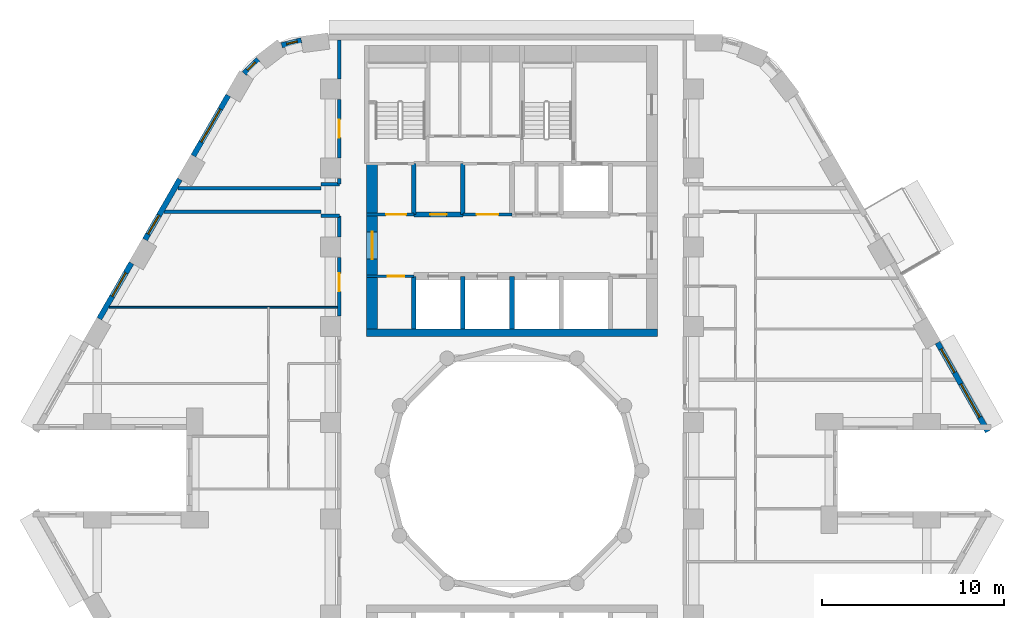
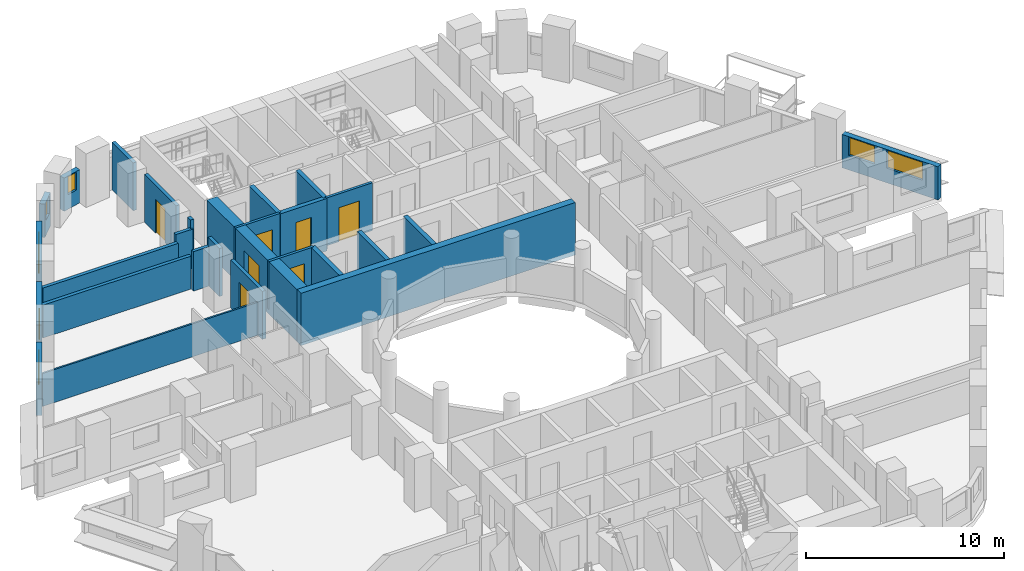
# One storey, part 7 of 13: 27 walls, 7 doors, 7 windows, 14 openings.
"""IFC4 building model written with IfcOpenShell, lengths in metres."""

from ifc_helpers import new_model, si_unit, direction, frame, frame_2d, origin, place, context, subcontext, project, spatial, rectangle, extrude, material, layer, layer_set, type_object, element, fill, save


model = new_model("IFC4")

# Units and contexts
model_context = context("Model", 3, precision=1e-05, world=origin(), true_north=direction((0.0, 1.0)))
body_context = subcontext(model_context, "Body", "Model", "MODEL_VIEW")
ifc_project = project(units=[si_unit("LENGTHUNIT", "METRE"), si_unit("AREAUNIT", "SQUARE_METRE"), si_unit("VOLUMEUNIT", "CUBIC_METRE"), si_unit("PLANEANGLEUNIT", "RADIAN"), si_unit("MASSUNIT", "GRAM", prefix="KILO")], contexts=[model_context])

# Site, building, storey
site_placement = place(None, origin())
site = spatial("IfcSite", under=ifc_project, at=site_placement, CompositionType="ELEMENT")
building_placement = place(site_placement, origin())
building = spatial("IfcBuilding", under=site, at=building_placement, Name="Nakaniwa Court", CompositionType="ELEMENT")
storey_placement = place(building_placement, frame((0.0, 0.0, 67.800048828125)))
storey = spatial("IfcBuildingStorey", under=building, at=storey_placement, Name="L18", CompositionType="ELEMENT", Elevation=67.800048828125)

# Walls
ifc_material_1 = material(Name="Acoustic double stud partition")
ifc_layer_1 = layer(ifc_material_1, 0.199951171875)
ifc_layer_set_1 = layer_set([ifc_layer_1], Name="Acoustic double stud partition")
wall_type_1 = type_object("IfcWallType", Name="Acoustic double stud partition 200", PredefinedType="PARTITIONING", material=ifc_layer_set_1)
wall_1_placement = place(storey_placement, frame((60.86083984375, 94.25, 0.0), z_axis=(0.0, 0.0, 1.0), x_axis=(1.0, 0.0, 0.0)))
element("IfcWall", 1, at=wall_1_placement, inside=storey, type_object=wall_type_1, Name="Partition PW-084", PredefinedType="PARTITIONING", context=body_context, shape_type="SweptSolid", body=[
    extrude(rectangle(XDim=8.63916015625, YDim=0.199951171875, at=frame_2d((4.319580078125, 0.0))), origin(), (0.0, 0.0, 1.0), 2.030029296875),
])
for number, where, z_axis, x_axis, name in (
    (2, (69.5, 94.02490234375, 0.0), (0.0, 0.0, 1.0), (1.0, 0.0, 0.0), "Partition PW-086"),
    (3, (69.5, 95.77490234375, 0.0), (0.0, 0.0, 1.0), (1.0, 0.0, 0.0), "Partition PW-088"),
):
    element("IfcWall", number, at=place(storey_placement, frame(where, z_axis=z_axis, x_axis=x_axis)), inside=storey, type_object=wall_type_1, Name=name, PredefinedType="PARTITIONING", context=body_context, shape_type="SweptSolid", body=[
        extrude(rectangle(XDim=1.0, YDim=0.199951171875, at=frame_2d((0.5, 0.0))), origin(), (0.0, 0.0, 1.0), 2.429931640625),
    ])
wall_2_placement = place(storey_placement, frame((61.611328125, 95.550048828125, 0.0), z_axis=(0.0, 0.0, 1.0), x_axis=(1.0, 0.0, 0.0)))
element("IfcWall", 4, at=wall_2_placement, inside=storey, type_object=wall_type_1, Name="Partition PW-090", PredefinedType="PARTITIONING", context=body_context, shape_type="SweptSolid", body=[
    extrude(rectangle(XDim=7.888671875, YDim=0.199951171875, at=frame_2d((3.9443359375, 0.0))), origin(), (0.0, 0.0, 1.0), 2.030029296875),
])

# Wall, opening, door
wall_3_placement = place(storey_placement, frame((70.5, 88.51708984375, 0.0), z_axis=(0.0, 0.0, 1.0), x_axis=(0.0, 1.0, 0.0)))
wall_3 = element("IfcWall", 5, at=wall_3_placement, inside=storey, type_object=wall_type_1, Name="Partition PW-108", PredefinedType="PARTITIONING", context=body_context, shape_type="SweptSolid", body=[
    extrude(rectangle(XDim=3.2158203125, YDim=0.199951171875, at=frame_2d((1.60791015625, 0.0))), origin(), (0.0, 0.0, 1.0), 2.949951171875),
])
opening_1_placement = place(wall_3_placement, frame((1.347900390625, 0.0, 0.0)))
opening_1 = element("IfcOpeningElement", 6, at=opening_1_placement, cuts=wall_3, Name="Opening D-02-06", PredefinedType="OPENING", context=body_context, shape_type="SweptSolid", body=[
    extrude(rectangle(XDim=1.0, YDim=2.10009765625, at=frame_2d((0.5, 1.050048828125))), frame((0.0, 0.10986328125, 0.0), z_axis=(0.0, -1.0, 0.0), x_axis=(1.0, 0.0, 0.0)), (0.0, 0.0, 1.0), 0.219970703125),
])
ifc_material_2 = material(Name="Solid core timber door set, black veneer", Category="wood")
door_type_1 = type_object("IfcDoorType", Name="Internal door 1000", OperationType="NOTDEFINED", PredefinedType="DOOR", material=ifc_material_2)
door_1_placement = place(opening_1_placement, origin())
door_1 = element("IfcDoor", 7, at=door_1_placement, inside=storey, type_object=door_type_1, Name="Door D-02-06 L18-052", OperationType="SINGLE_SWING_LEFT", OverallHeight=2.10009765625, OverallWidth=1.0, PredefinedType="DOOR", context=body_context, shape_type="SweptSolid", body=[
    extrude(rectangle(XDim=1.0, YDim=2.10009765625, at=frame_2d((0.5, 1.050048828125))), frame((0.0, 0.02490234375, 0.0), z_axis=(0.0, -1.0, 0.0), x_axis=(1.0, 0.0, 0.0)), (0.0, 0.0, 1.0), 0.050048828125),
])
fill(opening_1, door_1)

# Walls
wall_4_placement = place(storey_placement, frame((70.5, 92.866943359375, 0.0), z_axis=(0.0, 0.0, 1.0), x_axis=(0.0, 1.0, 0.0)))
element("IfcWall", 8, at=wall_4_placement, inside=storey, type_object=wall_type_1, Name="Partition PW-109", PredefinedType="PARTITIONING", context=body_context, shape_type="SweptSolid", body=[
    extrude(rectangle(XDim=1.1611328125, YDim=0.199951171875, at=frame_2d((0.58056640625, 0.0))), origin(), (0.0, 0.0, 1.0), 2.949951171875),
])
wall_5_placement = place(storey_placement, frame((70.5, 95.77197265625, 0.0), z_axis=(0.0, 0.0, 1.0), x_axis=(0.0, 1.0, 0.0)))
element("IfcWall", 9, at=wall_5_placement, inside=storey, type_object=wall_type_1, Name="Partition PW-110", PredefinedType="PARTITIONING", context=body_context, shape_type="SweptSolid", body=[
    extrude(rectangle(XDim=0.31103515625, YDim=0.199951171875, at=frame_2d((0.155517578125, 0.0))), origin(), (0.0, 0.0, 1.0), 2.949951171875),
])

# Wall, opening, door
wall_6_placement = place(storey_placement, frame((70.5, 97.217041015625, 0.0), z_axis=(0.0, 0.0, 1.0), x_axis=(0.0, 1.0, 0.0)))
wall_6 = element("IfcWall", 10, at=wall_6_placement, inside=storey, type_object=wall_type_1, Name="Partition PW-111", PredefinedType="PARTITIONING", context=body_context, shape_type="SweptSolid", body=[
    extrude(rectangle(XDim=3.216064453125, YDim=0.199951171875, at=frame_2d((1.60791015625, 0.0))), origin(), (0.0, 0.0, 1.0), 2.949951171875),
])
opening_2_placement = place(wall_6_placement, frame((1.10791015625, 0.0, 0.0)))
opening_2 = element("IfcOpeningElement", 11, at=opening_2_placement, cuts=wall_6, Name="Opening D-02-07", PredefinedType="OPENING", context=body_context, shape_type="SweptSolid", body=[
    extrude(rectangle(XDim=1.0, YDim=2.10009765625, at=frame_2d((0.5, 1.050048828125))), frame((0.0, 0.10986328125, 0.0), z_axis=(0.0, -1.0, 0.0), x_axis=(1.0, 0.0, 0.0)), (0.0, 0.0, 1.0), 0.219970703125),
])
door_2_placement = place(opening_2_placement, origin())
door_2 = element("IfcDoor", 12, at=door_2_placement, inside=storey, type_object=door_type_1, Name="Door D-02-07 L18-053", OperationType="SINGLE_SWING_RIGHT", OverallHeight=2.10009765625, OverallWidth=1.0, PredefinedType="DOOR", context=body_context, shape_type="SweptSolid", body=[
    extrude(rectangle(XDim=1.0, YDim=2.10009765625, at=frame_2d((0.5, 1.050048828125))), frame((0.0, 0.02490234375, 0.0), z_axis=(0.0, -1.0, 0.0), x_axis=(1.0, 0.0, 0.0)), (0.0, 0.0, 1.0), 0.050048828125),
])
fill(opening_2, door_2)

# Wall
wall_7_placement = place(storey_placement, frame((70.5, 101.56689453125, 0.0), z_axis=(0.0, 0.0, 1.0), x_axis=(0.0, 1.0, 0.0)))
element("IfcWall", 13, at=wall_7_placement, inside=storey, type_object=wall_type_1, Name="Partition PW-112", PredefinedType="PARTITIONING", context=body_context, shape_type="SweptSolid", body=[
    extrude(rectangle(XDim=2.133056640625, YDim=0.199951171875, at=frame_2d((1.06640625, 0.0))), origin(), (0.0, 0.0, 1.0), 2.949951171875),
])

# Wall, openings, windows
ifc_material_3 = material(Name="Charcoal ceramic cladding")
ifc_layer_2 = layer(ifc_material_3, 0.02, Name="Ceramic cladding")
ifc_material_4 = material(Name="Ventilated air cavity")
ifc_layer_3 = layer(ifc_material_4, 0.04, ventilated=True, Name="Ventilated cavity")
ifc_material_5 = material(Name="Mineral wool insulation")
ifc_layer_4 = layer(ifc_material_5, 0.1, Name="Insulation")
ifc_material_6 = material(Name="Cement bonded sheathing board")
ifc_layer_5 = layer(ifc_material_6, 0.012, Name="Sheathing")
ifc_material_7 = material(Name="Cold-formed galvanised stud frame with mineral wool infill")
ifc_layer_6 = layer(ifc_material_7, 0.1, Name="Stud frame")
ifc_material_8 = material(Name="Fire-rated gypsum plasterboard lining")
ifc_layer_7 = layer(ifc_material_8, 0.028, Name="Lining")
ifc_layer_set_2 = layer_set([ifc_layer_2, ifc_layer_3, ifc_layer_4, ifc_layer_5, ifc_layer_6, ifc_layer_7], Name="Charcoal ceramic faced external wall system")
wall_type_2 = type_object("IfcWallType", Name="Black ceramic faced external wall 300", PredefinedType="SOLIDWALL", material=ifc_layer_set_2)
wall_8_placement = place(storey_placement, frame((106.18603515625, 82.1533203125, 0.0), z_axis=(0.0, 0.0, 1.0), x_axis=(-0.492363204642, 0.870389840655, 0.0)))
wall_8 = element("IfcWall", 14, at=wall_8_placement, inside=storey, type_object=wall_type_2, Name="L18 external wall 02", PredefinedType="SOLIDWALL", context=body_context, shape_type="SweptSolid", body=[
    extrude(rectangle(XDim=5.62646484375, YDim=0.300048828125, at=frame_2d((2.813232421875, 0.0))), origin(), (0.0, 0.0, 1.0), 2.050048828125),
])
opening_3_placement = place(wall_8_placement, frame((0.9091796875, 0.0, 0.89990234375)))
opening_3 = element("IfcOpeningElement", 15, at=opening_3_placement, cuts=wall_8, Name="Opening W7.03", PredefinedType="OPENING", context=body_context, shape_type="SweptSolid", body=[
    extrude(rectangle(XDim=2.10009765625, YDim=1.10009765625, at=frame_2d((1.050048828125, 0.550048828125))), frame((0.0, 0.159912109375, 0.0), z_axis=(0.0, -1.0, 0.0), x_axis=(1.0, 0.0, 0.0)), (0.0, 0.0, 1.0), 0.320068359375),
])
opening_4_placement = place(wall_8_placement, frame((3.73388671875, 0.0, 0.89990234375)))
opening_4 = element("IfcOpeningElement", 16, at=opening_4_placement, cuts=wall_8, Name="Opening W5.04", PredefinedType="OPENING", context=body_context, shape_type="SweptSolid", body=[
    extrude(rectangle(XDim=1.5, YDim=1.10009765625, at=frame_2d((0.75, 0.550048828125))), frame((0.0, 0.159912109375, 0.0), z_axis=(0.0, -1.0, 0.0), x_axis=(1.0, 0.0, 0.0)), (0.0, 0.0, 1.0), 0.320068359375),
])
ifc_material_9 = material(Name="Black anodised aluminium frame with dark low-E laminated double glazing", Category="aluminium")
window_type_1 = type_object("IfcWindowType", Name="Dark glass window 1500x1100 sill 900", PartitioningType="SINGLE_PANEL", PredefinedType="WINDOW", material=ifc_material_9)
window_1_placement = place(opening_4_placement, origin())
window_1 = element("IfcWindow", 17, at=window_1_placement, inside=storey, type_object=window_type_1, Name="L18 bedroom window 02-1", OverallHeight=1.10009765625, OverallWidth=1.5, PartitioningType="SINGLE_PANEL", PredefinedType="WINDOW", context=body_context, shape_type="SweptSolid", body=[
    extrude(rectangle(XDim=1.5, YDim=1.10009765625, at=frame_2d((0.75, 0.550048828125))), frame((0.0, 0.030029296875, 0.0), z_axis=(0.0, -1.0, 0.0), x_axis=(1.0, 0.0, 0.0)), (0.0, 0.0, 1.0), 0.06005859375),
])
fill(opening_4, window_1)
window_type_2 = type_object("IfcWindowType", Name="Dark glass window 2100x1100 sill 900", PartitioningType="SINGLE_PANEL", PredefinedType="WINDOW", material=ifc_material_9)
window_2_placement = place(opening_3_placement, origin())
window_2 = element("IfcWindow", 18, at=window_2_placement, inside=storey, type_object=window_type_2, Name="L18 living window 02-0", OverallHeight=1.10009765625, OverallWidth=2.10009765625, PartitioningType="SINGLE_PANEL", PredefinedType="WINDOW", context=body_context, shape_type="SweptSolid", body=[
    extrude(rectangle(XDim=2.10009765625, YDim=1.10009765625, at=frame_2d((1.050048828125, 0.550048828125))), frame((0.0, 0.030029296875, 0.0), z_axis=(0.0, -1.0, 0.0), x_axis=(1.0, 0.0, 0.0)), (0.0, 0.0, 1.0), 0.06005859375),
])
fill(opening_3, window_2)

# Wall, opening, window
wall_9_placement = place(storey_placement, frame((68.4052734375, 103.68310546875, 0.0), z_axis=(0.0, 0.0, 1.0), x_axis=(-0.969766298956, -0.244035500304, 0.0)))
wall_9 = element("IfcWall", 19, at=wall_9_placement, inside=storey, type_object=wall_type_2, Name="L18 external wall 09", PredefinedType="SOLIDWALL", context=body_context, shape_type="SweptSolid", body=[
    extrude(rectangle(XDim=1.110595703125, YDim=0.300048828125, at=frame_2d((0.55517578125, 0.0))), origin(), (0.0, 0.0, 1.0), 2.050048828125),
])
opening_5_placement = place(wall_9_placement, frame((0.230712890625, 0.0, 0.89990234375)))
opening_5 = element("IfcOpeningElement", 20, at=opening_5_placement, cuts=wall_9, Name="Opening W8.09", PredefinedType="OPENING", context=body_context, shape_type="SweptSolid", body=[
    extrude(rectangle(XDim=0.60009765625, YDim=1.10009765625, at=frame_2d((0.300048828125, 0.550048828125))), frame((0.0, 0.159912109375, 0.0), z_axis=(0.0, -1.0, 0.0), x_axis=(1.0, 0.0, 0.0)), (0.0, 0.0, 1.0), 0.320068359375),
])
window_type_3 = type_object("IfcWindowType", Name="Dark glass window 600x1100 sill 900", PartitioningType="SINGLE_PANEL", PredefinedType="WINDOW", material=ifc_material_9)
window_3_placement = place(opening_5_placement, origin())
window_3 = element("IfcWindow", 21, at=window_3_placement, inside=storey, type_object=window_type_3, Name="L18 habitable room window 09-0", OverallHeight=1.10009765625, OverallWidth=0.60009765625, PartitioningType="SINGLE_PANEL", PredefinedType="WINDOW", context=body_context, shape_type="SweptSolid", body=[
    extrude(rectangle(XDim=0.60009765625, YDim=1.10009765625, at=frame_2d((0.300048828125, 0.550048828125))), frame((0.0, 0.030029296875, 0.0), z_axis=(0.0, -1.0, 0.0), x_axis=(1.0, 0.0, 0.0)), (0.0, 0.0, 1.0), 0.06005859375),
])
fill(opening_5, window_3)

wall_10_placement = place(storey_placement, frame((66.04150390625, 102.637451171875, 0.0), z_axis=(0.0, 0.0, 1.0), x_axis=(-0.708892395813, -0.705316646024, 0.0)))
wall_10 = element("IfcWall", 22, at=wall_10_placement, inside=storey, type_object=wall_type_2, Name="L18 external wall 10", PredefinedType="SOLIDWALL", context=body_context, shape_type="SweptSolid", body=[
    extrude(rectangle(XDim=1.092529296875, YDim=0.300048828125, at=frame_2d((0.54638671875, 0.0))), origin(), (0.0, 0.0, 1.0), 2.050048828125),
])
opening_6_placement = place(wall_10_placement, frame((0.23583984375, 0.0, 0.89990234375)))
opening_6 = element("IfcOpeningElement", 23, at=opening_6_placement, cuts=wall_10, Name="Opening W8.10", PredefinedType="OPENING", context=body_context, shape_type="SweptSolid", body=[
    extrude(rectangle(XDim=0.60009765625, YDim=1.10009765625, at=frame_2d((0.300048828125, 0.550048828125))), frame((0.0, 0.159912109375, 0.0), z_axis=(0.0, -1.0, 0.0), x_axis=(1.0, 0.0, 0.0)), (0.0, 0.0, 1.0), 0.320068359375),
])
window_4_placement = place(opening_6_placement, origin())
window_4 = element("IfcWindow", 24, at=window_4_placement, inside=storey, type_object=window_type_3, Name="L18 habitable room window 10-0", OverallHeight=1.10009765625, OverallWidth=0.60009765625, PartitioningType="SINGLE_PANEL", PredefinedType="WINDOW", context=body_context, shape_type="SweptSolid", body=[
    extrude(rectangle(XDim=0.60009765625, YDim=1.10009765625, at=frame_2d((0.300048828125, 0.550048828125))), frame((0.0, 0.030029296875, 0.0), z_axis=(0.0, -1.0, 0.0), x_axis=(1.0, 0.0, 0.0)), (0.0, 0.0, 1.0), 0.06005859375),
])
fill(opening_6, window_4)

wall_11_placement = place(storey_placement, frame((64.384765625, 100.653564453125, 0.0), z_axis=(0.0, 0.0, 1.0), x_axis=(-0.499974163209, -0.866040320149, 0.0)))
wall_11 = element("IfcWall", 25, at=wall_11_placement, inside=storey, type_object=wall_type_2, Name="L18 external wall 11", PredefinedType="SOLIDWALL", context=body_context, shape_type="SweptSolid", body=[
    extrude(rectangle(XDim=3.834228515625, YDim=0.300048828125, at=frame_2d((1.9169921875, 0.0))), origin(), (0.0, 0.0, 1.0), 2.050048828125),
])
opening_7_placement = place(wall_11_placement, frame((0.866943359375, 0.0, 0.89990234375)))
opening_7 = element("IfcOpeningElement", 26, at=opening_7_placement, cuts=wall_11, Name="Opening W7.11", PredefinedType="OPENING", context=body_context, shape_type="SweptSolid", body=[
    extrude(rectangle(XDim=2.10009765625, YDim=1.10009765625, at=frame_2d((1.050048828125, 0.550048828125))), frame((0.0, 0.159912109375, 0.0), z_axis=(0.0, -1.0, 0.0), x_axis=(1.0, 0.0, 0.0)), (0.0, 0.0, 1.0), 0.320068359375),
])
window_5_placement = place(opening_7_placement, origin())
window_5 = element("IfcWindow", 27, at=window_5_placement, inside=storey, type_object=window_type_2, Name="L18 habitable room window 11-0", OverallHeight=1.10009765625, OverallWidth=2.10009765625, PartitioningType="SINGLE_PANEL", PredefinedType="WINDOW", context=body_context, shape_type="SweptSolid", body=[
    extrude(rectangle(XDim=2.10009765625, YDim=1.10009765625, at=frame_2d((1.050048828125, 0.550048828125))), frame((0.0, 0.030029296875, 0.0), z_axis=(0.0, -1.0, 0.0), x_axis=(1.0, 0.0, 0.0)), (0.0, 0.0, 1.0), 0.06005859375),
])
fill(opening_7, window_5)

wall_12_placement = place(storey_placement, frame((61.7216796875, 96.041015625, 0.0), z_axis=(0.0, 0.0, 1.0), x_axis=(-0.500001735503, -0.866024401789, 0.0)))
wall_12 = element("IfcWall", 28, at=wall_12_placement, inside=storey, type_object=wall_type_2, Name="L18 external wall 12", PredefinedType="SOLIDWALL", context=body_context, shape_type="SweptSolid", body=[
    extrude(rectangle(XDim=3.833984375, YDim=0.300048828125, at=frame_2d((1.9169921875, 0.0))), origin(), (0.0, 0.0, 1.0), 2.050048828125),
])
opening_8_placement = place(wall_12_placement, frame((2.2900390625, 0.0, 0.89990234375)))
opening_8 = element("IfcOpeningElement", 29, at=opening_8_placement, cuts=wall_12, Name="Opening W6.12", PredefinedType="OPENING", context=body_context, shape_type="SweptSolid", body=[
    extrude(rectangle(XDim=1.199951171875, YDim=1.10009765625, at=frame_2d((0.60009765625, 0.550048828125))), frame((0.0, 0.159912109375, 0.0), z_axis=(0.0, -1.0, 0.0), x_axis=(1.0, 0.0, 0.0)), (0.0, 0.0, 1.0), 0.320068359375),
])
window_type_4 = type_object("IfcWindowType", Name="Dark glass window 1200x1100 sill 900", PartitioningType="SINGLE_PANEL", PredefinedType="WINDOW", material=ifc_material_9)
window_6_placement = place(opening_8_placement, origin())
window_6 = element("IfcWindow", 30, at=window_6_placement, inside=storey, type_object=window_type_4, Name="L18 habitable room window 12-2", OverallHeight=1.10009765625, OverallWidth=1.199951171875, PartitioningType="SINGLE_PANEL", PredefinedType="WINDOW", context=body_context, shape_type="SweptSolid", body=[
    extrude(rectangle(XDim=1.199951171875, YDim=1.10009765625, at=frame_2d((0.60009765625, 0.550048828125))), frame((0.0, 0.030029296875, 0.0), z_axis=(0.0, -1.0, 0.0), x_axis=(1.0, 0.0, 0.0)), (0.0, 0.0, 1.0), 0.06005859375),
])
fill(opening_8, window_6)

wall_13_placement = place(storey_placement, frame((59.05859375, 91.4287109375, 0.0), z_axis=(0.0, 0.0, 1.0), x_axis=(-0.499977402622, -0.866038449993, 0.0)))
wall_13 = element("IfcWall", 31, at=wall_13_placement, inside=storey, type_object=wall_type_2, Name="L18 external wall 13", PredefinedType="SOLIDWALL", context=body_context, shape_type="SweptSolid", body=[
    extrude(rectangle(XDim=3.536865234375, YDim=0.300048828125, at=frame_2d((1.7685546875, 0.0))), origin(), (0.0, 0.0, 1.0), 2.050048828125),
])
opening_9_placement = place(wall_13_placement, frame((0.614990234375, 0.0, 0.89990234375)))
opening_9 = element("IfcOpeningElement", 32, at=opening_9_placement, cuts=wall_13, Name="Opening W5.13", PredefinedType="OPENING", context=body_context, shape_type="SweptSolid", body=[
    extrude(rectangle(XDim=1.5, YDim=1.10009765625, at=frame_2d((0.75, 0.550048828125))), frame((0.0, 0.159912109375, 0.0), z_axis=(0.0, -1.0, 0.0), x_axis=(1.0, 0.0, 0.0)), (0.0, 0.0, 1.0), 0.320068359375),
])
window_7_placement = place(opening_9_placement, origin())
window_7 = element("IfcWindow", 33, at=window_7_placement, inside=storey, type_object=window_type_1, Name="L18 habitable room window 13-0", OverallHeight=1.10009765625, OverallWidth=1.5, PartitioningType="SINGLE_PANEL", PredefinedType="WINDOW", context=body_context, shape_type="SweptSolid", body=[
    extrude(rectangle(XDim=1.5, YDim=1.10009765625, at=frame_2d((0.75, 0.550048828125))), frame((0.0, 0.030029296875, 0.0), z_axis=(0.0, -1.0, 0.0), x_axis=(1.0, 0.0, 0.0)), (0.0, 0.0, 1.0), 0.06005859375),
])
fill(opening_9, window_7)

# Wall, opening, door
ifc_material_10 = material(Name="Blockwork partition", Category="masonry")
ifc_layer_8 = layer(ifc_material_10, 0.14990234375)
ifc_layer_set_3 = layer_set([ifc_layer_8], Name="Blockwork partition")
wall_type_3 = type_object("IfcWallType", Name="Blockwork partition 150", PredefinedType="PARTITIONING", material=ifc_layer_set_3)
wall_14_placement = place(storey_placement, frame((74.60009765625, 90.699951171875, 0.0), z_axis=(0.0, 0.0, 1.0), x_axis=(-1.0, 0.0, 0.0)))
wall_14 = element("IfcWall", 34, at=wall_14_placement, inside=storey, type_object=wall_type_3, Name="Partition PW-003", PredefinedType="PARTITIONING", context=body_context, shape_type="SweptSolid", body=[
    extrude(rectangle(XDim=2.60009765625, YDim=0.14990234375, at=frame_2d((1.300048828125, 0.0))), origin(), (0.0, 0.0, 1.0), 2.949951171875),
])
opening_10_placement = place(wall_14_placement, frame((0.52490234375, 0.0, 0.0)))
opening_10 = element("IfcOpeningElement", 35, at=opening_10_placement, cuts=wall_14, Name="Opening D-05-01", PredefinedType="OPENING", context=body_context, shape_type="SweptSolid", body=[
    extrude(rectangle(XDim=0.89990234375, YDim=2.10009765625, at=frame_2d((0.449951171875, 1.050048828125))), frame((0.0, 0.0849609375, 0.0), z_axis=(0.0, -1.0, 0.0), x_axis=(1.0, 0.0, 0.0)), (0.0, 0.0, 1.0), 0.169921875),
])
ifc_material_11 = material(Name="Fire rated steel door set", Category="steel")
door_type_2 = type_object("IfcDoorType", Name="Service room door 900", OperationType="NOTDEFINED", PredefinedType="DOOR", material=ifc_material_11)
door_3_placement = place(opening_10_placement, origin())
door_3 = element("IfcDoor", 36, at=door_3_placement, inside=storey, type_object=door_type_2, Name="Door D-05-01 L18-001", OperationType="SINGLE_SWING_RIGHT", OverallHeight=2.10009765625, OverallWidth=0.89990234375, PredefinedType="DOOR", context=body_context, shape_type="SweptSolid", body=[
    extrude(rectangle(XDim=0.89990234375, YDim=2.10009765625, at=frame_2d((0.449951171875, 1.050048828125))), frame((0.0, 0.02490234375, 0.0), z_axis=(0.0, -1.0, 0.0), x_axis=(1.0, 0.0, 0.0)), (0.0, 0.0, 1.0), 0.050048828125),
])
fill(opening_10, door_3)

wall_15_placement = place(storey_placement, frame((72.0, 94.10009765625, 0.0), z_axis=(0.0, 0.0, 1.0), x_axis=(1.0, 0.0, 0.0)))
wall_15 = element("IfcWall", 37, at=wall_15_placement, inside=storey, type_object=wall_type_3, Name="Partition PW-016", PredefinedType="PARTITIONING", context=body_context, shape_type="SweptSolid", body=[
    extrude(rectangle(XDim=2.60302734375, YDim=0.14990234375, at=frame_2d((1.301513671875, 0.0))), origin(), (0.0, 0.0, 1.0), 2.949951171875),
])
opening_11_placement = place(wall_15_placement, frame((1.074951171875, 0.0, 0.0)))
opening_11 = element("IfcOpeningElement", 38, at=opening_11_placement, cuts=wall_15, Name="Opening D-08-01", PredefinedType="OPENING", context=body_context, shape_type="SweptSolid", body=[
    extrude(rectangle(XDim=1.10009765625, YDim=2.10009765625, at=frame_2d((0.550048828125, 1.050048828125))), frame((0.0, 0.0849609375, 0.0), z_axis=(0.0, -1.0, 0.0), x_axis=(1.0, 0.0, 0.0)), (0.0, 0.0, 1.0), 0.169921875),
])
door_type_3 = type_object("IfcDoorType", Name="Stair lobby door 1100", OperationType="NOTDEFINED", PredefinedType="DOOR", material=ifc_material_11)
door_4_placement = place(opening_11_placement, origin())
door_4 = element("IfcDoor", 39, at=door_4_placement, inside=storey, type_object=door_type_3, Name="Door D-08-01 L18-003", OperationType="SINGLE_SWING_RIGHT", OverallHeight=2.10009765625, OverallWidth=1.10009765625, PredefinedType="DOOR", context=body_context, shape_type="SweptSolid", body=[
    extrude(rectangle(XDim=1.10009765625, YDim=2.10009765625, at=frame_2d((0.550048828125, 1.050048828125))), frame((0.0, 0.02490234375, 0.0), z_axis=(0.0, -1.0, 0.0), x_axis=(1.0, 0.0, 0.0)), (0.0, 0.0, 1.0), 0.050048828125),
])
fill(opening_11, door_4)

wall_16_placement = place(storey_placement, frame((77.297119140625, 94.10009765625, 0.0), z_axis=(0.0, 0.0, 1.0), x_axis=(1.0, 0.0, 0.0)))
wall_16 = element("IfcWall", 40, at=wall_16_placement, inside=storey, type_object=wall_type_3, Name="Partition PW-017", PredefinedType="PARTITIONING", context=body_context, shape_type="SweptSolid", body=[
    extrude(rectangle(XDim=2.705810546875, YDim=0.14990234375, at=frame_2d((1.35302734375, 0.0))), origin(), (0.0, 0.0, 1.0), 2.949951171875),
])
opening_12_placement = place(wall_16_placement, frame((0.7529296875, 0.0, 0.0)))
opening_12 = element("IfcOpeningElement", 41, at=opening_12_placement, cuts=wall_16, Name="Opening D-06-01", PredefinedType="OPENING", context=body_context, shape_type="SweptSolid", body=[
    extrude(rectangle(XDim=1.199951171875, YDim=2.10009765625, at=frame_2d((0.60009765625, 1.050048828125))), frame((0.0, 0.0849609375, 0.0), z_axis=(0.0, -1.0, 0.0), x_axis=(1.0, 0.0, 0.0)), (0.0, 0.0, 1.0), 0.169921875),
])
ifc_material_12 = material(Name="Fire rated steel double door set", Category="steel")
door_type_4 = type_object("IfcDoorType", Name="Service passage double door 1200", OperationType="NOTDEFINED", PredefinedType="DOOR", material=ifc_material_12)
door_5_placement = place(opening_12_placement, origin())
door_5 = element("IfcDoor", 42, at=door_5_placement, inside=storey, type_object=door_type_4, Name="Door D-06-01 L18-005", OperationType="DOUBLE_DOOR_SINGLE_SWING", OverallHeight=2.10009765625, OverallWidth=1.199951171875, PredefinedType="DOOR", context=body_context, shape_type="SweptSolid", body=[
    extrude(rectangle(XDim=1.199951171875, YDim=2.10009765625, at=frame_2d((0.60009765625, 1.050048828125))), frame((0.0, 0.02490234375, 0.0), z_axis=(0.0, -1.0, 0.0), x_axis=(1.0, 0.0, 0.0)), (0.0, 0.0, 1.0), 0.050048828125),
])
fill(opening_12, door_5)

ifc_material_13 = material(Name="Concrete C100/115", Category="concrete")
ifc_layer_9 = layer(ifc_material_13, 0.60009765625)
ifc_layer_set_4 = layer_set([ifc_layer_9], Name="Concrete C100/115")
wall_type_4 = type_object("IfcWallType", Name="Concrete core side wall 600 C100", PredefinedType="SHEAR", material=ifc_layer_set_4)
wall_17_placement = place(storey_placement, frame((72.300048828125, 87.800048828125, -0.275146484375), z_axis=(0.0, 0.0, 1.0), x_axis=(0.0, 1.0, 0.0)))
wall_17 = element("IfcWall", 43, at=wall_17_placement, inside=storey, type_object=wall_type_4, Name="Core wall SW-04", PredefinedType="SHEAR", context=body_context, shape_type="SweptSolid", body=[
    extrude(rectangle(XDim=9.099853515625, YDim=0.60009765625, at=frame_2d((4.5498046875, 0.0))), origin(), (0.0, 0.0, 1.0), 3.22509765625),
])
opening_13_placement = place(wall_17_placement, frame((3.85009765625, 0.0, 0.27490234375)))
opening_13 = element("IfcOpeningElement", 44, at=opening_13_placement, cuts=wall_17, Name="Opening D-07-02", PredefinedType="OPENING", context=body_context, shape_type="SweptSolid", body=[
    extrude(rectangle(XDim=1.5, YDim=2.10009765625, at=frame_2d((0.75, 1.050048828125))), frame((0.0, 0.31005859375, 0.0), z_axis=(0.0, -1.0, 0.0), x_axis=(1.0, 0.0, 0.0)), (0.0, 0.0, 1.0), 0.6201171875),
])
ifc_material_14 = material(Name="Glazed fire rated steel double door set", Category="steel")
door_type_5 = type_object("IfcDoorType", Name="Lobby double door 1500", OperationType="NOTDEFINED", PredefinedType="DOOR", material=ifc_material_14)
door_6_placement = place(opening_13_placement, origin())
door_6 = element("IfcDoor", 45, at=door_6_placement, inside=storey, type_object=door_type_5, Name="Door D-07-02 L18-055", OperationType="DOUBLE_DOOR_SINGLE_SWING", OverallHeight=2.10009765625, OverallWidth=1.5, PredefinedType="DOOR", context=body_context, shape_type="SweptSolid", body=[
    extrude(rectangle(XDim=1.5, YDim=2.10009765625, at=frame_2d((0.75, 1.050048828125))), frame((0.0, 0.02490234375, 0.0), z_axis=(0.0, -1.0, 0.0), x_axis=(1.0, 0.0, 0.0)), (0.0, 0.0, 1.0), 0.050048828125),
])
fill(opening_13, door_6)

# Walls
ifc_layer_10 = layer(ifc_material_13, 0.39990234375)
ifc_layer_set_5 = layer_set([ifc_layer_10], Name="Concrete C100/115")
wall_type_5 = type_object("IfcWallType", Name="Concrete core well wall 400 C100", PredefinedType="SHEAR", material=ifc_layer_set_5)
wall_18_placement = place(storey_placement, frame((72.00390625, 87.60009765625, -0.275146484375), z_axis=(0.0, 0.0, 1.0), x_axis=(1.0, 0.0, 0.0)))
element("IfcWall", 46, at=wall_18_placement, inside=storey, type_object=wall_type_5, Name="Core wall SW-134", PredefinedType="SHEAR", context=body_context, shape_type="SweptSolid", body=[
    extrude(rectangle(XDim=15.9921875, YDim=0.39990234375, at=frame_2d((7.99609375, 0.0))), origin(), (0.0, 0.0, 1.0), 3.22509765625),
])
ifc_layer_11 = layer(ifc_material_13, 0.25)
ifc_layer_set_6 = layer_set([ifc_layer_11], Name="Concrete C100/115")
wall_type_6 = type_object("IfcWallType", Name="Concrete shaft wall 250 C100", PredefinedType="SHEAR", material=ifc_layer_set_6)
wall_19_placement = place(storey_placement, frame((74.60009765625, 87.800048828125, -0.275146484375), z_axis=(0.0, 0.0, 1.0), x_axis=(0.0, 1.0, 0.0)))
element("IfcWall", 47, at=wall_19_placement, inside=storey, type_object=wall_type_6, Name="Core wall SW-01", PredefinedType="SHEAR", context=body_context, shape_type="SweptSolid", body=[
    extrude(rectangle(XDim=2.89990234375, YDim=0.25, at=frame_2d((1.449951171875, 0.0))), origin(), (0.0, 0.0, 1.0), 3.22509765625),
])
wall_20_placement = place(storey_placement, frame((74.60009765625, 94.10009765625, -0.275146484375), z_axis=(0.0, 0.0, 1.0), x_axis=(0.0, 1.0, 0.0)))
element("IfcWall", 48, at=wall_20_placement, inside=storey, type_object=wall_type_6, Name="Core wall SW-02", PredefinedType="SHEAR", context=body_context, shape_type="SweptSolid", body=[
    extrude(rectangle(XDim=2.7998046875, YDim=0.25, at=frame_2d((1.39990234375, 0.0))), origin(), (0.0, 0.0, 1.0), 3.22509765625),
])
wall_21_placement = place(storey_placement, frame((77.300048828125, 87.800048828125, -0.275146484375), z_axis=(0.0, 0.0, 1.0), x_axis=(0.0, 1.0, 0.0)))
element("IfcWall", 49, at=wall_21_placement, inside=storey, type_object=wall_type_6, Name="Core wall SW-05", PredefinedType="SHEAR", context=body_context, shape_type="SweptSolid", body=[
    extrude(rectangle(XDim=2.89990234375, YDim=0.25, at=frame_2d((1.449951171875, 0.0))), origin(), (0.0, 0.0, 1.0), 3.22509765625),
])
wall_22_placement = place(storey_placement, frame((77.300048828125, 94.10009765625, -0.275146484375), z_axis=(0.0, 0.0, 1.0), x_axis=(0.0, 1.0, 0.0)))
element("IfcWall", 50, at=wall_22_placement, inside=storey, type_object=wall_type_6, Name="Core wall SW-06", PredefinedType="SHEAR", context=body_context, shape_type="SweptSolid", body=[
    extrude(rectangle(XDim=2.7998046875, YDim=0.25, at=frame_2d((1.39990234375, 0.0))), origin(), (0.0, 0.0, 1.0), 3.22509765625),
])
wall_23_placement = place(storey_placement, frame((80.0, 87.800048828125, -0.275146484375), z_axis=(0.0, 0.0, 1.0), x_axis=(0.0, 1.0, 0.0)))
element("IfcWall", 51, at=wall_23_placement, inside=storey, type_object=wall_type_6, Name="Core wall SW-08", PredefinedType="SHEAR", context=body_context, shape_type="SweptSolid", body=[
    extrude(rectangle(XDim=2.89990234375, YDim=0.25, at=frame_2d((1.449951171875, 0.0))), origin(), (0.0, 0.0, 1.0), 3.22509765625),
])

# Wall, opening, door
wall_24_placement = place(storey_placement, frame((74.596923828125, 94.10009765625, -0.275146484375), z_axis=(0.0, 0.0, 1.0), x_axis=(1.0, 0.0, 0.0)))
wall_24 = element("IfcWall", 52, at=wall_24_placement, inside=storey, type_object=wall_type_6, Name="Core wall SW-19", PredefinedType="SHEAR", context=body_context, shape_type="SweptSolid", body=[
    extrude(rectangle(XDim=2.7060546875, YDim=0.25, at=frame_2d((1.35302734375, 0.0))), origin(), (0.0, 0.0, 1.0), 3.22509765625),
])
opening_14_placement = place(wall_24_placement, frame((0.903076171875, 0.0, 0.27490234375)))
opening_14 = element("IfcOpeningElement", 53, at=opening_14_placement, cuts=wall_24, Name="Opening D-05-03", PredefinedType="OPENING", context=body_context, shape_type="SweptSolid", body=[
    extrude(rectangle(XDim=0.89990234375, YDim=2.10009765625, at=frame_2d((0.449951171875, 1.050048828125))), frame((0.0, 0.135009765625, 0.0), z_axis=(0.0, -1.0, 0.0), x_axis=(1.0, 0.0, 0.0)), (0.0, 0.0, 1.0), 0.27001953125),
])
door_7_placement = place(opening_14_placement, origin())
door_7 = element("IfcDoor", 54, at=door_7_placement, inside=storey, type_object=door_type_2, Name="Door D-05-03 L18-004", OperationType="SINGLE_SWING_LEFT", OverallHeight=2.10009765625, OverallWidth=0.89990234375, PredefinedType="DOOR", context=body_context, shape_type="SweptSolid", body=[
    extrude(rectangle(XDim=0.89990234375, YDim=2.10009765625, at=frame_2d((0.449951171875, 1.050048828125))), frame((0.0, 0.02490234375, 0.0), z_axis=(0.0, -1.0, 0.0), x_axis=(1.0, 0.0, 0.0)), (0.0, 0.0, 1.0), 0.050048828125),
])
fill(opening_14, door_7)

# Wall
ifc_material_15 = material(Name="Single stud plasterboard partition")
ifc_layer_12 = layer(ifc_material_15, 0.10009765625)
ifc_layer_set_7 = layer_set([ifc_layer_12], Name="Single stud plasterboard partition")
wall_type_7 = type_object("IfcWallType", Name="Single stud plasterboard partition 100", PredefinedType="PARTITIONING", material=ifc_layer_set_7)
wall_25_placement = place(storey_placement, frame((57.829833984375, 89.0, 0.0), z_axis=(0.0, 0.0, 1.0), x_axis=(1.0, 0.0, 0.0)))
element("IfcWall", 55, at=wall_25_placement, inside=storey, type_object=wall_type_7, Name="Partition PW-131", PredefinedType="PARTITIONING", context=body_context, shape_type="SweptSolid", body=[
    extrude(rectangle(XDim=12.670166015625, YDim=0.10009765625, at=frame_2d((6.3349609375, 0.0))), origin(), (0.0, 0.0, 1.0), 2.030029296875),
])

save(model, "model.ifc")
